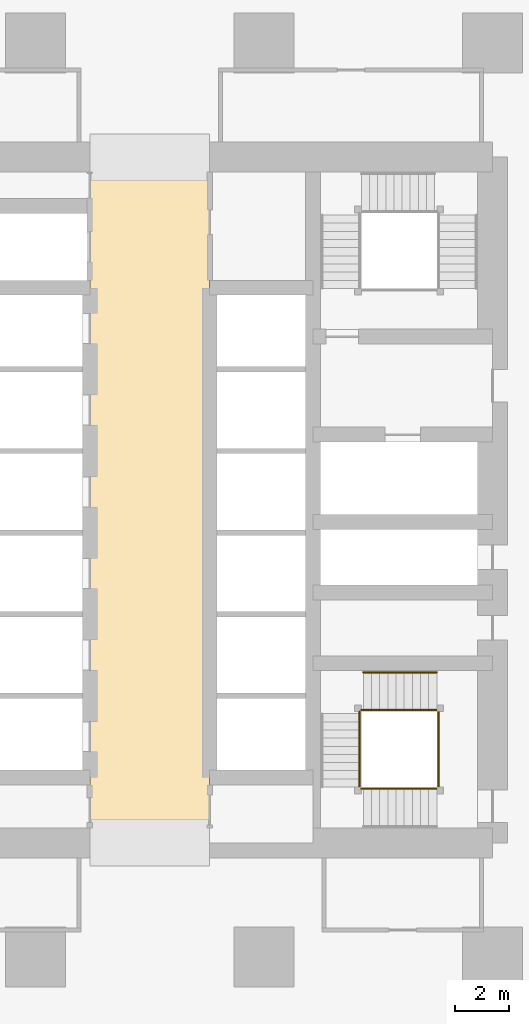
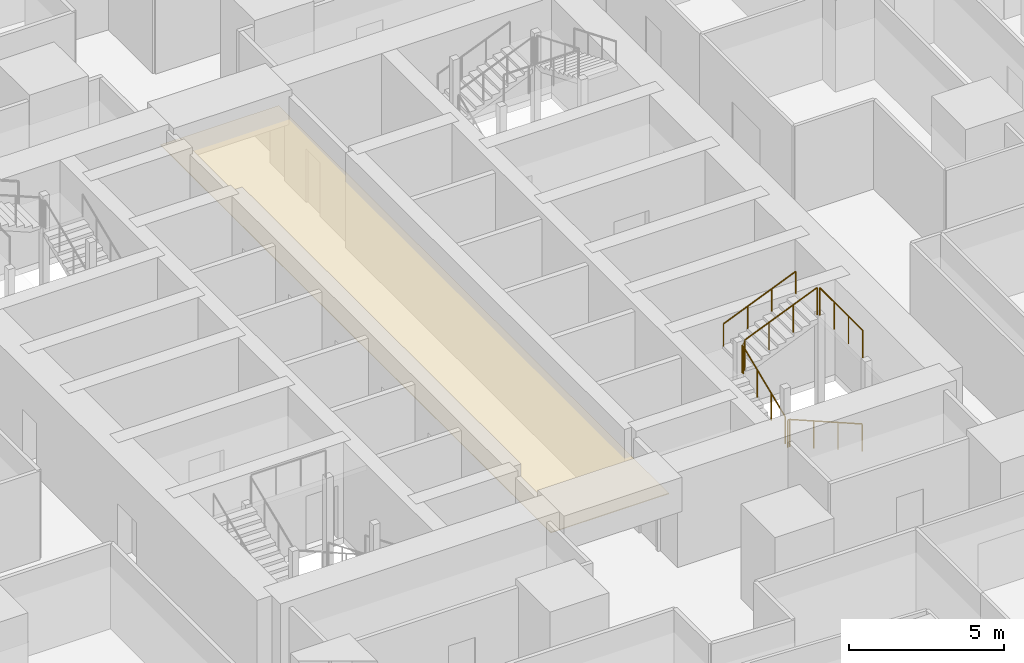
# One storey, part 40 of 45: 8 railings, 1 covering.
"""IFC4 building model written with IfcOpenShell, lengths in metres."""

from ifc_helpers import new_model, si_unit, direction, frame, origin, origin_2d, place, context, subcontext, project, spatial, polyline, circle, outline, extrude, material, layer, layer_set, type_object, element, save


model = new_model("IFC4")

# Units and contexts
model_context = context("Model", 3, precision=1e-05, world=origin(), true_north=direction((0.0, 1.0)))
body_context = subcontext(model_context, "Body", "Model", "MODEL_VIEW")
ifc_project = project(units=[si_unit("LENGTHUNIT", "METRE"), si_unit("AREAUNIT", "SQUARE_METRE"), si_unit("VOLUMEUNIT", "CUBIC_METRE"), si_unit("PLANEANGLEUNIT", "RADIAN"), si_unit("MASSUNIT", "GRAM", prefix="KILO")], contexts=[model_context])

# Site, building, storey
site_placement = place(None, origin())
site = spatial("IfcSite", under=ifc_project, at=site_placement, CompositionType="ELEMENT")
building_placement = place(site_placement, origin())
building = spatial("IfcBuilding", under=site, at=building_placement, Name="Rekha Terrace Tower", CompositionType="ELEMENT")
storey_placement = place(building_placement, frame((0.0, 0.0, 44.14990234375)))
storey = spatial("IfcBuildingStorey", under=building, at=storey_placement, Name="L10", CompositionType="ELEMENT", Elevation=44.14990234375)

# Covering
ifc_material_1 = material(Name="Powder-coated aluminium pan", Category="aluminium")
ifc_layer = layer(ifc_material_1, 0.030029296875)
ifc_layer_set = layer_set([ifc_layer], Name="Powder-coated aluminium pan")
covering_type = type_object("IfcCoveringType", Name="CL3 300x1200 metal pan ceiling", PredefinedType="CEILING", material=ifc_layer_set)
covering_placement = place(storey_placement, frame((0.0, 0.0, 2.570068359375)))
element("IfcCovering", 1, at=covering_placement, inside=storey, type_object=covering_type, Name="Ceiling L10-LOBBY", PredefinedType="CEILING", context=body_context, shape_type="SweptSolid", body=[
    extrude(outline(polyline([(40.0, 46.199951171875), (35.60009765625, 46.199951171875), (35.60009765625, 21.0), (40.0, 21.0), (40.0, 46.199951171875)])), origin(), (0.0, 0.0, 1.0), 0.030029296875),
])

# Railings
ifc_material_2 = material(Name="Stainless steel balustrade", Category="steel")
railing_type_1 = type_object("IfcRailingType", Name="GR1 1100 stair guard", PredefinedType="GUARDRAIL", material=ifc_material_2)
railing_1_placement = place(storey_placement, frame((48.35009765625, 22.989990234375, 0.125)))
element("IfcRailing", 2, at=railing_1_placement, inside=storey, type_object=railing_type_1, Name="Guard ST3 L10 flight 1", PredefinedType="GUARDRAIL", context=body_context, shape_type="SweptSolid", body=[
    extrude(circle(Radius=0.02392578125, at=origin_2d()), frame((0.0, 0.0, 1.076171875), z_axis=(-0.923086799901, 0.0, 0.38459167938), x_axis=(0.0, -1.0, 0.0)), (0.0, 0.0, 1.0), 2.92529296875),
    extrude(circle(Radius=0.02099609375, at=origin_2d()), origin(), (0.0, 0.0, 1.0), 1.052001953125),
    extrude(circle(Radius=0.02099609375, at=origin_2d()), frame((-0.900146484375, 0.0, 0.375)), (0.0, 0.0, 1.0), 1.052001953125),
    extrude(circle(Radius=0.02099609375, at=origin_2d()), frame((-1.800048828125, 0.0, 0.75)), (0.0, 0.0, 1.0), 1.052001953125),
    extrude(circle(Radius=0.02099609375, at=origin_2d()), frame((-2.7001953125, 0.0, 1.125)), (0.0, 0.0, 1.0), 1.052001953125),
])
railing_2_placement = place(storey_placement, frame((45.514892578125, 23.050048828125, 1.375)))
element("IfcRailing", 3, at=railing_2_placement, inside=storey, type_object=railing_type_1, Name="Guard ST3 L10 flight 2", PredefinedType="GUARDRAIL", context=body_context, shape_type="SweptSolid", body=[
    extrude(circle(Radius=0.02392578125, at=origin_2d()), frame((0.0, 0.0, 1.076171875), z_axis=(0.0, 0.923074453586, 0.384621311341), x_axis=(-1.0, 0.0, 0.0)), (0.0, 0.0, 1.0), 2.925048828125),
    extrude(circle(Radius=0.02099609375, at=origin_2d()), origin(), (0.0, 0.0, 1.0), 1.052001953125),
    extrude(circle(Radius=0.02099609375, at=origin_2d()), frame((0.0, 0.89990234375, 0.375)), (0.0, 0.0, 1.0), 1.052001953125),
    extrude(circle(Radius=0.02099609375, at=origin_2d()), frame((0.0, 1.800048828125, 0.75)), (0.0, 0.0, 1.0), 1.052001953125),
    extrude(circle(Radius=0.02099609375, at=origin_2d()), frame((0.0, 2.699951171875, 1.125)), (0.0, 0.0, 1.0), 1.052001953125),
])
railing_3_placement = place(storey_placement, frame((45.64990234375, 25.885009765625, 2.625)))
element("IfcRailing", 4, at=railing_3_placement, inside=storey, type_object=railing_type_1, Name="Guard ST3 L10 flight 3", PredefinedType="GUARDRAIL", context=body_context, shape_type="SweptSolid", body=[
    extrude(circle(Radius=0.02392578125, at=origin_2d()), frame((0.0, 0.0, 1.076171875), z_axis=(0.923086799901, 0.0, 0.38459167938), x_axis=(0.0, 1.0, 0.0)), (0.0, 0.0, 1.0), 2.92529296875),
    extrude(circle(Radius=0.02099609375, at=origin_2d()), origin(), (0.0, 0.0, 1.0), 1.052001953125),
    extrude(circle(Radius=0.02099609375, at=origin_2d()), frame((0.900146484375, 0.0, 0.375)), (0.0, 0.0, 1.0), 1.052001953125),
    extrude(circle(Radius=0.02099609375, at=origin_2d()), frame((1.800048828125, 0.0, 0.75)), (0.0, 0.0, 1.0), 1.052001953125),
    extrude(circle(Radius=0.02099609375, at=origin_2d()), frame((2.7001953125, 0.0, 1.125)), (0.0, 0.0, 1.0), 1.052001953125),
])
railing_4_placement = place(storey_placement, frame((45.64990234375, 22.989990234375, 1.25)))
element("IfcRailing", 5, at=railing_4_placement, inside=storey, type_object=railing_type_1, Name="Guard ST3 L10 landing 1", PredefinedType="GUARDRAIL", context=body_context, shape_type="SweptSolid", body=[
    extrude(circle(Radius=0.02392578125, at=origin_2d()), frame((0.0, 0.0, 1.076171875), z_axis=(-1.0, 0.0, 0.0), x_axis=(0.0, -1.0, 0.0)), (0.0, 0.0, 1.0), 0.074951171875),
    extrude(circle(Radius=0.02099609375, at=origin_2d()), origin(), (0.0, 0.0, 1.0), 1.052001953125),
    extrude(circle(Radius=0.02099609375, at=origin_2d()), frame((-0.074951171875, 0.0, 0.0)), (0.0, 0.0, 1.0), 1.052001953125),
])
railing_5_placement = place(storey_placement, frame((45.514892578125, 25.75, 2.5)))
element("IfcRailing", 6, at=railing_5_placement, inside=storey, type_object=railing_type_1, Name="Guard ST3 L10 landing 2", PredefinedType="GUARDRAIL", context=body_context, shape_type="SweptSolid", body=[
    extrude(circle(Radius=0.02392578125, at=origin_2d()), frame((0.0, 0.0, 1.076171875), z_axis=(0.0, 1.0, 0.0), x_axis=(-1.0, 0.0, 0.0)), (0.0, 0.0, 1.0), 0.074951171875),
    extrude(circle(Radius=0.02099609375, at=origin_2d()), origin(), (0.0, 0.0, 1.0), 1.052001953125),
    extrude(circle(Radius=0.02099609375, at=origin_2d()), frame((0.0, 0.074951171875, 0.0)), (0.0, 0.0, 1.0), 1.052001953125),
])
railing_6_placement = place(storey_placement, frame((45.64990234375, 25.885009765625, 2.5)))
element("IfcRailing", 7, at=railing_6_placement, inside=storey, type_object=railing_type_1, Name="Guard ST3 L10 landing 3", PredefinedType="GUARDRAIL", context=body_context, shape_type="SweptSolid", body=[
    extrude(circle(Radius=0.02392578125, at=origin_2d()), frame((0.0, 0.0, 1.076171875), z_axis=(-1.0, 0.0, 0.0), x_axis=(0.0, -1.0, 0.0)), (0.0, 0.0, 1.0), 0.074951171875),
    extrude(circle(Radius=0.02099609375, at=origin_2d()), origin(), (0.0, 0.0, 1.0), 1.052001953125),
    extrude(circle(Radius=0.02099609375, at=origin_2d()), frame((-0.074951171875, 0.0, 0.0)), (0.0, 0.0, 1.0), 1.052001953125),
])
railing_7_placement = place(storey_placement, frame((48.409912109375, 23.050048828125, 3.75)))
element("IfcRailing", 8, at=railing_7_placement, inside=storey, type_object=railing_type_1, Name="Guard ST3 L10 landing 4", PredefinedType="GUARDRAIL", context=body_context, shape_type="SweptSolid", body=[
    extrude(circle(Radius=0.02392578125, at=origin_2d()), frame((0.0, 0.0, 1.076171875), z_axis=(0.0, 1.0, 0.0), x_axis=(-1.0, 0.0, 0.0)), (0.0, 0.0, 1.0), 2.77490234375),
    extrude(circle(Radius=0.02099609375, at=origin_2d()), origin(), (0.0, 0.0, 1.0), 1.052001953125),
    extrude(circle(Radius=0.02099609375, at=origin_2d()), frame((0.0, 0.925048828125, 0.0)), (0.0, 0.0, 1.0), 1.052001953125),
    extrude(circle(Radius=0.02099609375, at=origin_2d()), frame((0.0, 1.849853515625, 0.0)), (0.0, 0.0, 1.0), 1.052001953125),
    extrude(circle(Radius=0.02099609375, at=origin_2d()), frame((0.0, 2.77490234375, 0.0)), (0.0, 0.0, 1.0), 1.052001953125),
])
ifc_material_3 = material(Name="Stainless steel tube", Category="steel")
railing_type_2 = type_object("IfcRailingType", Name="HR1 900 stair handrail", PredefinedType="HANDRAIL", material=ifc_material_3)
railing_8_placement = place(storey_placement, frame((45.64990234375, 27.264892578125, 2.625)))
element("IfcRailing", 9, at=railing_8_placement, inside=storey, type_object=railing_type_2, Name="Handrail ST3 L10 flight 3", PredefinedType="HANDRAIL", context=body_context, shape_type="SweptSolid", body=[
    extrude(circle(Radius=0.02392578125, at=origin_2d()), frame((0.0, 0.0, 0.8759765625), z_axis=(0.923086799901, 0.0, 0.38459167938), x_axis=(0.0, 1.0, 0.0)), (0.0, 0.0, 1.0), 2.92529296875),
    extrude(circle(Radius=0.02099609375, at=origin_2d()), origin(), (0.0, 0.0, 1.0), 0.851806640625),
    extrude(circle(Radius=0.02099609375, at=origin_2d()), frame((0.900146484375, 0.0, 0.375)), (0.0, 0.0, 1.0), 0.851806640625),
    extrude(circle(Radius=0.02099609375, at=origin_2d()), frame((1.800048828125, 0.0, 0.75)), (0.0, 0.0, 1.0), 0.851806640625),
    extrude(circle(Radius=0.02099609375, at=origin_2d()), frame((2.7001953125, 0.0, 1.125)), (0.0, 0.0, 1.0), 0.851806640625),
])

save(model, "model.ifc")
